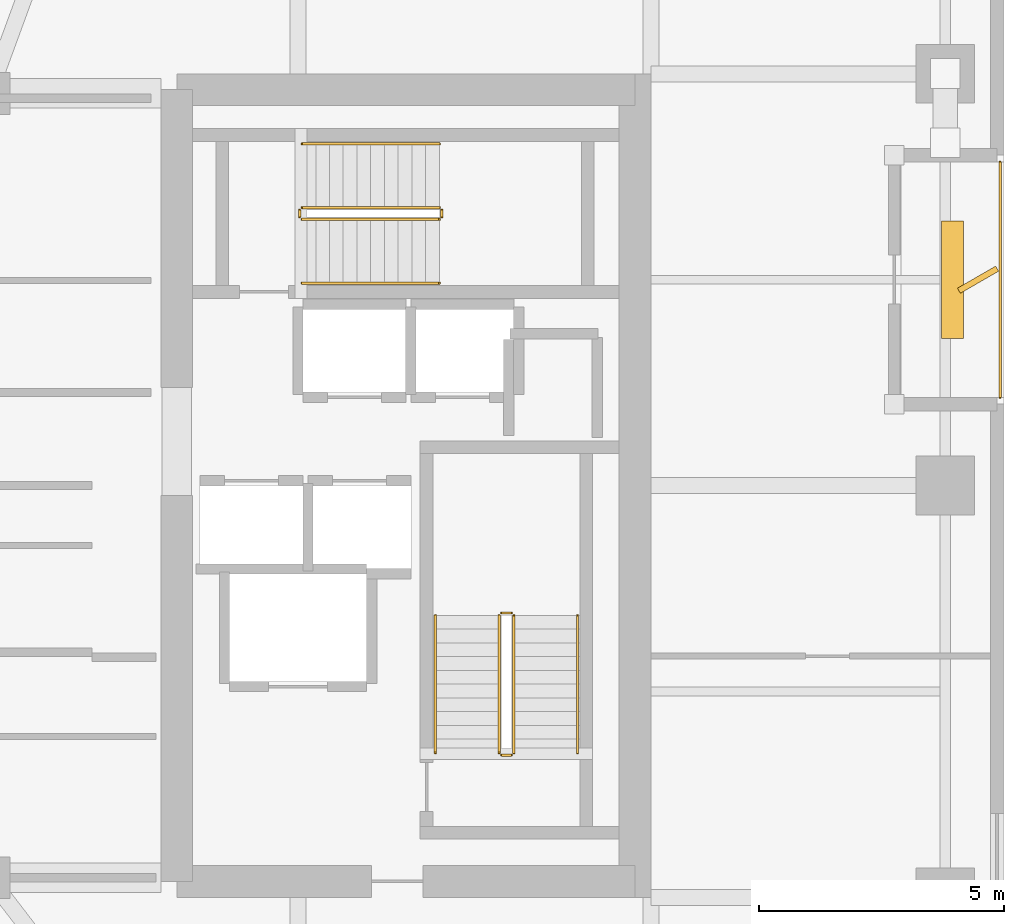
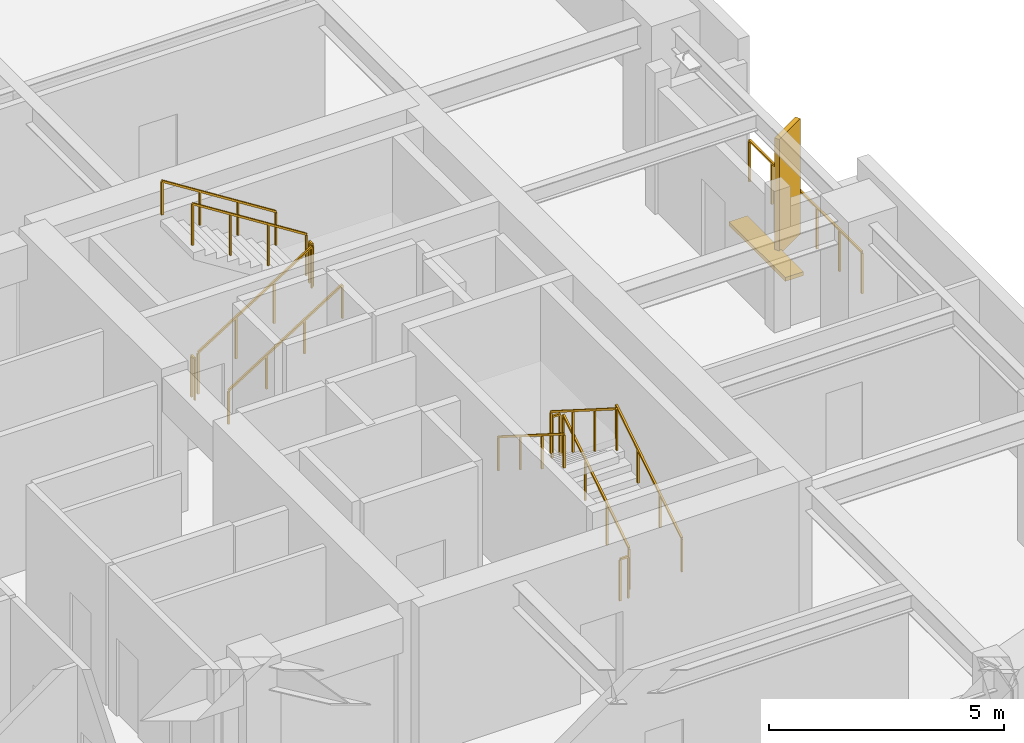
# One storey, part 20 of 21: 13 railings, 2 shading devices.
"""IFC4 building model written with IfcOpenShell, lengths in metres."""

from ifc_helpers import new_model, si_unit, direction, frame, origin, origin_2d, place, context, subcontext, project, spatial, rectangle, extrude, material, type_object, element, save


model = new_model("IFC4")

# Units and contexts
model_context = context("Model", 3, precision=1e-05, world=origin(), true_north=direction((0.0, 1.0)))
body_context = subcontext(model_context, "Body", "Model", "MODEL_VIEW")
ifc_project = project(units=[si_unit("LENGTHUNIT", "METRE"), si_unit("AREAUNIT", "SQUARE_METRE"), si_unit("VOLUMEUNIT", "CUBIC_METRE"), si_unit("PLANEANGLEUNIT", "RADIAN"), si_unit("MASSUNIT", "GRAM", prefix="KILO")], contexts=[model_context])

# Site, building, storey
site_placement = place(None, origin())
site = spatial("IfcSite", under=ifc_project, at=site_placement, CompositionType="ELEMENT")
building_placement = place(site_placement, origin())
building = spatial("IfcBuilding", under=site, at=building_placement, Name="Kiyonajd Concourse Tower", CompositionType="ELEMENT")
storey_placement = place(building_placement, frame((0.0, 0.0, 227.10009765625)))
storey = spatial("IfcBuildingStorey", under=building, at=storey_placement, Name="L57", CompositionType="ELEMENT", Elevation=227.10009765625)

# Railings
ifc_material_1 = material(Name="Thermally Broken Anodised Aluminium", Category="aluminium")
railing_type_1 = type_object("IfcRailingType", Name="RL-GRD-LOG", PredefinedType="GUARDRAIL", material=ifc_material_1)
railing_1_placement = place(storey_placement, frame((70.719970703125, 37.800048828125, 0.0)))
element("IfcRailing", 1, at=railing_1_placement, inside=storey, type_object=railing_type_1, Name="L57 Engawa Loggia Perimeter Guard LOG-E", PredefinedType="GUARDRAIL", context=body_context, shape_type="SweptSolid", body=[
    extrude(rectangle(XDim=0.048095703125, YDim=0.048095703125, at=origin_2d()), frame((0.0, 0.0, 1.076171875), z_axis=(0.0, 1.0, 0.0), x_axis=(-1.0, 0.0, 0.0)), (0.0, 0.0, 1.0), 4.800048828125),
    extrude(rectangle(XDim=0.0419921875, YDim=0.0419921875, at=origin_2d()), origin(), (0.0, 0.0, 1.0), 1.052001953125),
    extrude(rectangle(XDim=0.0419921875, YDim=0.0419921875, at=origin_2d()), frame((0.0, 0.9599609375, 0.0)), (0.0, 0.0, 1.0), 1.052001953125),
    extrude(rectangle(XDim=0.0419921875, YDim=0.0419921875, at=origin_2d()), frame((0.0, 1.919921875, 0.0)), (0.0, 0.0, 1.0), 1.052001953125),
    extrude(rectangle(XDim=0.0419921875, YDim=0.0419921875, at=origin_2d()), frame((0.0, 2.880126953125, 0.0)), (0.0, 0.0, 1.0), 1.052001953125),
    extrude(rectangle(XDim=0.0419921875, YDim=0.0419921875, at=origin_2d()), frame((0.0, 3.840087890625, 0.0)), (0.0, 0.0, 1.0), 1.052001953125),
    extrude(rectangle(XDim=0.0419921875, YDim=0.0419921875, at=origin_2d()), frame((0.0, 4.800048828125, 0.0)), (0.0, 0.0, 1.0), 1.052001953125),
])
ifc_material_2 = material(Name="Steel ASTM A500 Grade C", Category="steel")
railing_type_2 = type_object("IfcRailingType", Name="RL-GRD-STR", PredefinedType="GUARDRAIL", material=ifc_material_2)
railing_2_placement = place(storey_placement, frame((60.800048828125, 30.550048828125, 0.17724609375)))
element("IfcRailing", 2, at=railing_2_placement, inside=storey, type_object=railing_type_2, Name="L57 ST2 stair guard 1", PredefinedType="GUARDRAIL", context=body_context, shape_type="SweptSolid", body=[
    extrude(rectangle(XDim=0.048095703125, YDim=0.048095703125, at=origin_2d()), frame((0.0, 0.0, 1.076171875), z_axis=(0.0, 0.844908973607, 0.534910110503), x_axis=(-1.0, 0.0, 0.0)), (0.0, 0.0, 1.0), 3.31396484375),
    extrude(rectangle(XDim=0.0419921875, YDim=0.0419921875, at=origin_2d()), origin(), (0.0, 0.0, 1.0), 1.052001953125),
    extrude(rectangle(XDim=0.0419921875, YDim=0.0419921875, at=origin_2d()), frame((0.0, 0.933349609375, 0.5908203125)), (0.0, 0.0, 1.0), 1.052001953125),
    extrude(rectangle(XDim=0.0419921875, YDim=0.0419921875, at=origin_2d()), frame((0.0, 1.86669921875, 1.181884765625)), (0.0, 0.0, 1.0), 1.052001953125),
    extrude(rectangle(XDim=0.0419921875, YDim=0.0419921875, at=origin_2d()), frame((0.0, 2.800048828125, 1.772705078125)), (0.0, 0.0, 1.0), 1.052001953125),
])
railing_3_placement = place(storey_placement, frame((60.75, 33.39990234375, 1.949951171875)))
element("IfcRailing", 3, at=railing_3_placement, inside=storey, type_object=railing_type_2, Name="L57 ST2 stair guard 2", PredefinedType="GUARDRAIL", context=body_context, shape_type="SweptSolid", body=[
    extrude(rectangle(XDim=0.048095703125, YDim=0.048095703125, at=origin_2d()), frame((0.0, 0.0, 1.076171875), z_axis=(-1.0, 0.0, 0.0), x_axis=(0.0, -1.0, 0.0)), (0.0, 0.0, 1.0), 0.199951171875),
    extrude(rectangle(XDim=0.0419921875, YDim=0.0419921875, at=origin_2d()), origin(), (0.0, 0.0, 1.0), 1.052001953125),
    extrude(rectangle(XDim=0.0419921875, YDim=0.0419921875, at=origin_2d()), frame((-0.199951171875, 0.0, 0.0)), (0.0, 0.0, 1.0), 1.052001953125),
])
railing_4_placement = place(storey_placement, frame((60.5, 33.35009765625, 2.127197265625)))
element("IfcRailing", 4, at=railing_4_placement, inside=storey, type_object=railing_type_2, Name="L57 ST2 stair guard 3", PredefinedType="GUARDRAIL", context=body_context, shape_type="SweptSolid", body=[
    extrude(rectangle(XDim=0.048095703125, YDim=0.048095703125, at=origin_2d()), frame((0.0, 0.0, 1.076171875), z_axis=(0.0, -0.844908973607, 0.534910110503), x_axis=(1.0, 0.0, 0.0)), (0.0, 0.0, 1.0), 3.31396484375),
    extrude(rectangle(XDim=0.0419921875, YDim=0.0419921875, at=origin_2d()), origin(), (0.0, 0.0, 1.0), 1.052001953125),
    extrude(rectangle(XDim=0.0419921875, YDim=0.0419921875, at=origin_2d()), frame((0.0, -0.933349609375, 0.5908203125)), (0.0, 0.0, 1.0), 1.052001953125),
    extrude(rectangle(XDim=0.0419921875, YDim=0.0419921875, at=origin_2d()), frame((0.0, -1.86669921875, 1.181884765625)), (0.0, 0.0, 1.0), 1.052001953125),
    extrude(rectangle(XDim=0.0419921875, YDim=0.0419921875, at=origin_2d()), frame((0.0, -2.800048828125, 1.772705078125)), (0.0, 0.0, 1.0), 1.052001953125),
])
railing_5_placement = place(storey_placement, frame((60.75, 30.5, 0.0)))
element("IfcRailing", 5, at=railing_5_placement, inside=storey, type_object=railing_type_2, Name="L57 ST2 stair guard 4", PredefinedType="GUARDRAIL", context=body_context, shape_type="SweptSolid", body=[
    extrude(rectangle(XDim=0.048095703125, YDim=0.048095703125, at=origin_2d()), frame((0.0, 0.0, 1.076171875), z_axis=(-1.0, 0.0, 0.0), x_axis=(0.0, -1.0, 0.0)), (0.0, 0.0, 1.0), 0.199951171875),
    extrude(rectangle(XDim=0.0419921875, YDim=0.0419921875, at=origin_2d()), origin(), (0.0, 0.0, 1.0), 1.052001953125),
    extrude(rectangle(XDim=0.0419921875, YDim=0.0419921875, at=origin_2d()), frame((-0.199951171875, 0.0, 0.0)), (0.0, 0.0, 1.0), 1.052001953125),
])
railing_6_placement = place(storey_placement, frame((56.47998046875, 41.429931640625, 0.17724609375)))
element("IfcRailing", 6, at=railing_6_placement, inside=storey, type_object=railing_type_2, Name="L57 ST3 stair guard 1", PredefinedType="GUARDRAIL", context=body_context, shape_type="SweptSolid", body=[
    extrude(rectangle(XDim=0.048095703125, YDim=0.048095703125, at=origin_2d()), frame((0.0, 0.0, 1.076171875), z_axis=(0.844908973607, 0.0, 0.534910110503), x_axis=(0.0, 1.0, 0.0)), (0.0, 0.0, 1.0), 3.31396484375),
    extrude(rectangle(XDim=0.0419921875, YDim=0.0419921875, at=origin_2d()), origin(), (0.0, 0.0, 1.0), 1.052001953125),
    extrude(rectangle(XDim=0.0419921875, YDim=0.0419921875, at=origin_2d()), frame((0.933349609375, 0.0, 0.5908203125)), (0.0, 0.0, 1.0), 1.052001953125),
    extrude(rectangle(XDim=0.0419921875, YDim=0.0419921875, at=origin_2d()), frame((1.86669921875, 0.0, 1.181884765625)), (0.0, 0.0, 1.0), 1.052001953125),
    extrude(rectangle(XDim=0.0419921875, YDim=0.0419921875, at=origin_2d()), frame((2.800048828125, 0.0, 1.772705078125)), (0.0, 0.0, 1.0), 1.052001953125),
])
railing_7_placement = place(storey_placement, frame((59.330078125, 41.47998046875, 1.949951171875)))
element("IfcRailing", 7, at=railing_7_placement, inside=storey, type_object=railing_type_2, Name="L57 ST3 stair guard 2", PredefinedType="GUARDRAIL", context=body_context, shape_type="SweptSolid", body=[
    extrude(rectangle(XDim=0.048095703125, YDim=0.048095703125, at=origin_2d()), frame((0.0, 0.0, 1.076171875), z_axis=(0.0, 1.0, 0.0), x_axis=(-1.0, 0.0, 0.0)), (0.0, 0.0, 1.0), 0.14013671875),
    extrude(rectangle(XDim=0.0419921875, YDim=0.0419921875, at=origin_2d()), origin(), (0.0, 0.0, 1.0), 1.052001953125),
    extrude(rectangle(XDim=0.0419921875, YDim=0.0419921875, at=origin_2d()), frame((0.0, 0.14013671875, 0.0)), (0.0, 0.0, 1.0), 1.052001953125),
])
railing_8_placement = place(storey_placement, frame((59.280029296875, 41.669921875, 2.127197265625)))
element("IfcRailing", 8, at=railing_8_placement, inside=storey, type_object=railing_type_2, Name="L57 ST3 stair guard 3", PredefinedType="GUARDRAIL", context=body_context, shape_type="SweptSolid", body=[
    extrude(rectangle(XDim=0.048095703125, YDim=0.048095703125, at=origin_2d()), frame((0.0, 0.0, 1.076171875), z_axis=(-0.844908973607, 0.0, 0.534910110503), x_axis=(0.0, -1.0, 0.0)), (0.0, 0.0, 1.0), 3.31396484375),
    extrude(rectangle(XDim=0.0419921875, YDim=0.0419921875, at=origin_2d()), origin(), (0.0, 0.0, 1.0), 1.052001953125),
    extrude(rectangle(XDim=0.0419921875, YDim=0.0419921875, at=origin_2d()), frame((-0.933349609375, 0.0, 0.5908203125)), (0.0, 0.0, 1.0), 1.052001953125),
    extrude(rectangle(XDim=0.0419921875, YDim=0.0419921875, at=origin_2d()), frame((-1.86669921875, 0.0, 1.181884765625)), (0.0, 0.0, 1.0), 1.052001953125),
    extrude(rectangle(XDim=0.0419921875, YDim=0.0419921875, at=origin_2d()), frame((-2.800048828125, 0.0, 1.772705078125)), (0.0, 0.0, 1.0), 1.052001953125),
])
railing_9_placement = place(storey_placement, frame((56.429931640625, 41.47998046875, 0.0)))
element("IfcRailing", 9, at=railing_9_placement, inside=storey, type_object=railing_type_2, Name="L57 ST3 stair guard 4", PredefinedType="GUARDRAIL", context=body_context, shape_type="SweptSolid", body=[
    extrude(rectangle(XDim=0.048095703125, YDim=0.048095703125, at=origin_2d()), frame((0.0, 0.0, 1.076171875), z_axis=(0.0, 1.0, 0.0), x_axis=(-1.0, 0.0, 0.0)), (0.0, 0.0, 1.0), 0.14013671875),
    extrude(rectangle(XDim=0.0419921875, YDim=0.0419921875, at=origin_2d()), origin(), (0.0, 0.0, 1.0), 1.052001953125),
    extrude(rectangle(XDim=0.0419921875, YDim=0.0419921875, at=origin_2d()), frame((0.0, 0.14013671875, 0.0)), (0.0, 0.0, 1.0), 1.052001953125),
])
ifc_material_3 = material(Name="Brushed Stainless Steel Cab Assembly", Category="steel")
railing_type_3 = type_object("IfcRailingType", Name="RL-HND-900", PredefinedType="HANDRAIL", material=ifc_material_3)
railing_10_placement = place(storey_placement, frame((62.10009765625, 30.550048828125, 0.17724609375)))
element("IfcRailing", 10, at=railing_10_placement, inside=storey, type_object=railing_type_3, Name="L57 ST2 stair handrail 1", PredefinedType="HANDRAIL", context=body_context, shape_type="SweptSolid", body=[
    extrude(rectangle(XDim=0.048095703125, YDim=0.048095703125, at=origin_2d()), frame((0.0, 0.0, 0.8759765625), z_axis=(0.0, 0.844908973607, 0.534910110503), x_axis=(-1.0, 0.0, 0.0)), (0.0, 0.0, 1.0), 3.31396484375),
    extrude(rectangle(XDim=0.0419921875, YDim=0.0419921875, at=origin_2d()), origin(), (0.0, 0.0, 1.0), 0.851806640625),
    extrude(rectangle(XDim=0.0419921875, YDim=0.0419921875, at=origin_2d()), frame((0.0, 0.933349609375, 0.5908203125)), (0.0, 0.0, 1.0), 0.851806640625),
    extrude(rectangle(XDim=0.0419921875, YDim=0.0419921875, at=origin_2d()), frame((0.0, 1.86669921875, 1.181884765625)), (0.0, 0.0, 1.0), 0.851806640625),
    extrude(rectangle(XDim=0.0419921875, YDim=0.0419921875, at=origin_2d()), frame((0.0, 2.800048828125, 1.772705078125)), (0.0, 0.0, 1.0), 0.851806640625),
])
railing_11_placement = place(storey_placement, frame((59.199951171875, 33.35009765625, 2.127197265625)))
element("IfcRailing", 11, at=railing_11_placement, inside=storey, type_object=railing_type_3, Name="L57 ST2 stair handrail 2", PredefinedType="HANDRAIL", context=body_context, shape_type="SweptSolid", body=[
    extrude(rectangle(XDim=0.048095703125, YDim=0.048095703125, at=origin_2d()), frame((0.0, 0.0, 0.8759765625), z_axis=(0.0, -0.844908973607, 0.534910110503), x_axis=(1.0, 0.0, 0.0)), (0.0, 0.0, 1.0), 3.31396484375),
    extrude(rectangle(XDim=0.0419921875, YDim=0.0419921875, at=origin_2d()), origin(), (0.0, 0.0, 1.0), 0.851806640625),
    extrude(rectangle(XDim=0.0419921875, YDim=0.0419921875, at=origin_2d()), frame((0.0, -0.933349609375, 0.5908203125)), (0.0, 0.0, 1.0), 0.851806640625),
    extrude(rectangle(XDim=0.0419921875, YDim=0.0419921875, at=origin_2d()), frame((0.0, -1.86669921875, 1.181884765625)), (0.0, 0.0, 1.0), 0.851806640625),
    extrude(rectangle(XDim=0.0419921875, YDim=0.0419921875, at=origin_2d()), frame((0.0, -2.800048828125, 1.772705078125)), (0.0, 0.0, 1.0), 0.851806640625),
])
railing_12_placement = place(storey_placement, frame((56.47998046875, 40.1298828125, 0.17724609375)))
element("IfcRailing", 12, at=railing_12_placement, inside=storey, type_object=railing_type_3, Name="L57 ST3 stair handrail 1", PredefinedType="HANDRAIL", context=body_context, shape_type="SweptSolid", body=[
    extrude(rectangle(XDim=0.048095703125, YDim=0.048095703125, at=origin_2d()), frame((0.0, 0.0, 0.8759765625), z_axis=(0.844908973607, 0.0, 0.534910110503), x_axis=(0.0, 1.0, 0.0)), (0.0, 0.0, 1.0), 3.31396484375),
    extrude(rectangle(XDim=0.0419921875, YDim=0.0419921875, at=origin_2d()), origin(), (0.0, 0.0, 1.0), 0.851806640625),
    extrude(rectangle(XDim=0.0419921875, YDim=0.0419921875, at=origin_2d()), frame((0.933349609375, 0.0, 0.5908203125)), (0.0, 0.0, 1.0), 0.851806640625),
    extrude(rectangle(XDim=0.0419921875, YDim=0.0419921875, at=origin_2d()), frame((1.86669921875, 0.0, 1.181884765625)), (0.0, 0.0, 1.0), 0.851806640625),
    extrude(rectangle(XDim=0.0419921875, YDim=0.0419921875, at=origin_2d()), frame((2.800048828125, 0.0, 1.772705078125)), (0.0, 0.0, 1.0), 0.851806640625),
])
railing_13_placement = place(storey_placement, frame((59.280029296875, 42.969970703125, 2.127197265625)))
element("IfcRailing", 13, at=railing_13_placement, inside=storey, type_object=railing_type_3, Name="L57 ST3 stair handrail 2", PredefinedType="HANDRAIL", context=body_context, shape_type="SweptSolid", body=[
    extrude(rectangle(XDim=0.048095703125, YDim=0.048095703125, at=origin_2d()), frame((0.0, 0.0, 0.8759765625), z_axis=(-0.844908973607, 0.0, 0.534910110503), x_axis=(0.0, -1.0, 0.0)), (0.0, 0.0, 1.0), 3.31396484375),
    extrude(rectangle(XDim=0.0419921875, YDim=0.0419921875, at=origin_2d()), origin(), (0.0, 0.0, 1.0), 0.851806640625),
    extrude(rectangle(XDim=0.0419921875, YDim=0.0419921875, at=origin_2d()), frame((-0.933349609375, 0.0, 0.5908203125)), (0.0, 0.0, 1.0), 0.851806640625),
    extrude(rectangle(XDim=0.0419921875, YDim=0.0419921875, at=origin_2d()), frame((-1.86669921875, 0.0, 1.181884765625)), (0.0, 0.0, 1.0), 0.851806640625),
    extrude(rectangle(XDim=0.0419921875, YDim=0.0419921875, at=origin_2d()), frame((-2.800048828125, 0.0, 1.772705078125)), (0.0, 0.0, 1.0), 0.851806640625),
])

# Shading devices
ifc_material_4 = material(Name="Precast concrete C50/60", Category="concrete")
shading_device_type_1 = type_object("IfcShadingDeviceType", Name="SH-FIN-900", PredefinedType="USERDEFINED", material=ifc_material_4)
shading_device_1_placement = place(storey_placement, frame((70.27001953125, 40.199951171875, 0.0), z_axis=(0.0, 0.0, 1.0), x_axis=(0.866025403784, 0.5, 0.0)))
element("IfcShadingDevice", 14, at=shading_device_1_placement, inside=storey, type_object=shading_device_type_1, Name="L57 Angled Koshi Solar Fin LOG-E", ObjectType="FIN", PredefinedType="USERDEFINED", context=body_context, shape_type="SweptSolid", body=[
    extrude(rectangle(XDim=0.89990234375, YDim=0.1201171875, at=origin_2d()), origin(), (0.0, 0.0, 1.0), 3.0),
])
shading_device_type_2 = type_object("IfcShadingDeviceType", Name="SH-LVR-600", PredefinedType="JALOUSIE", material=ifc_material_1)
shading_device_2_placement = place(storey_placement, frame((69.75, 40.199951171875, -0.000244140625), z_axis=(0.0, 0.0, 1.0), x_axis=(0.0, 1.0, 0.0)))
element("IfcShadingDevice", 15, at=shading_device_2_placement, inside=storey, type_object=shading_device_type_2, Name="L57 Loggia Threshold Louver LOG-E", PredefinedType="JALOUSIE", context=body_context, shape_type="SweptSolid", body=[
    extrude(rectangle(XDim=2.39990234375, YDim=0.449951171875, at=origin_2d()), origin(), (0.0, 0.0, 1.0), 0.10009765625),
])

save(model, "model.ifc")
